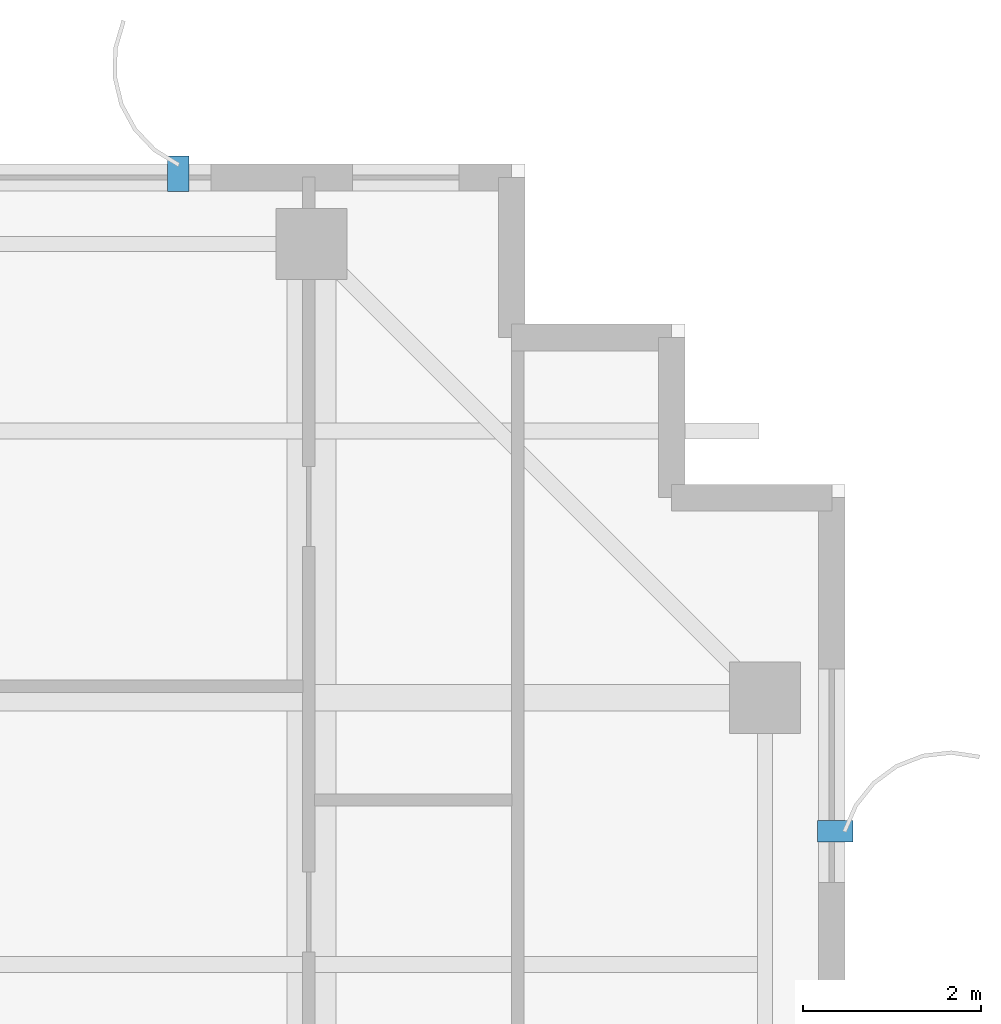
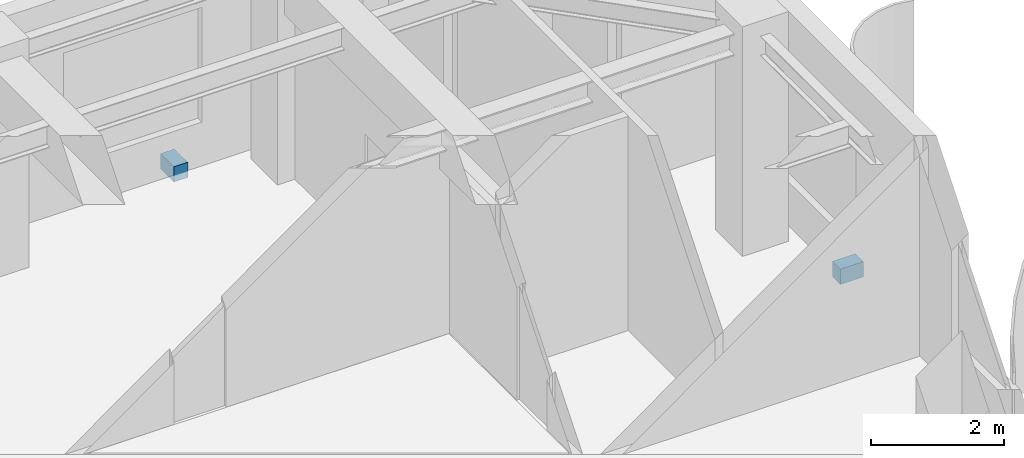
# One storey, part 23 of 26: 2 discrete accessories.
"""IFC4 building model written with IfcOpenShell, lengths in metres."""

from ifc_helpers import new_model, si_unit, direction, frame, origin, origin_2d, place, context, subcontext, project, spatial, rectangle, extrude, source, transform, mapped, material, type_object, element, save


model = new_model("IFC4")

# Units and contexts
model_context = context("Model", 3, precision=1e-05, world=origin(), true_north=direction((0.0, 1.0)))
body_context = subcontext(model_context, "Body", "Model", "MODEL_VIEW")
ifc_project = project(units=[si_unit("LENGTHUNIT", "METRE"), si_unit("AREAUNIT", "SQUARE_METRE"), si_unit("VOLUMEUNIT", "CUBIC_METRE"), si_unit("PLANEANGLEUNIT", "RADIAN"), si_unit("MASSUNIT", "GRAM", prefix="KILO")], contexts=[model_context])

# Site, building, storey
site_placement = place(None, origin())
site = spatial("IfcSite", under=ifc_project, at=site_placement, CompositionType="ELEMENT")
building_placement = place(site_placement, origin())
building = spatial("IfcBuilding", under=site, at=building_placement, Name="Khoralis Quay Care Tower", CompositionType="ELEMENT")
storey_placement = place(building_placement, frame((0.0, 0.0, 289.5)))
storey = spatial("IfcBuildingStorey", under=building, at=storey_placement, Name="L76", CompositionType="ELEMENT", Elevation=289.5)

# Discrete accessories
ifc_material = material(Name="Brushed stainless steel", Category="steel")
discrete_accessory_type = type_object("IfcDiscreteAccessoryType", Name="ACC-FIN-BRACKET", PredefinedType="BRACKET", material=ifc_material)
shared_shape = source(origin(), body_context, "Body", "SweptSolid", [
    extrude(rectangle(XDim=0.39990234375, YDim=0.239990234375, at=origin_2d()), origin(), (0.0, 0.0, 1.0), 0.280029296875),
])
for number, where, z_axis, x_axis, name in (
    (1, (41.889892578125, 34.5, -0.1201171875), (0.0, 0.0, 1.0), (1.0, 0.0, 0.0), "L76 Solar Fin Bracket P1E5-06"),
    (2, (34.5, 41.889892578125, -0.1201171875), (0.0, 0.0, 1.0), (0.0, 1.0, 0.0), "L76 Solar Fin Bracket P1E10-01"),
):
    element("IfcDiscreteAccessory", number, at=place(storey_placement, frame(where, z_axis=z_axis, x_axis=x_axis)), inside=storey, type_object=discrete_accessory_type, Name=name, PredefinedType="BRACKET", context=body_context, shape_type="MappedRepresentation", body=[
        mapped(shared_shape, transform((0.0, 0.0, 0.0), scale=1.0)),
    ])

save(model, "model.ifc")
